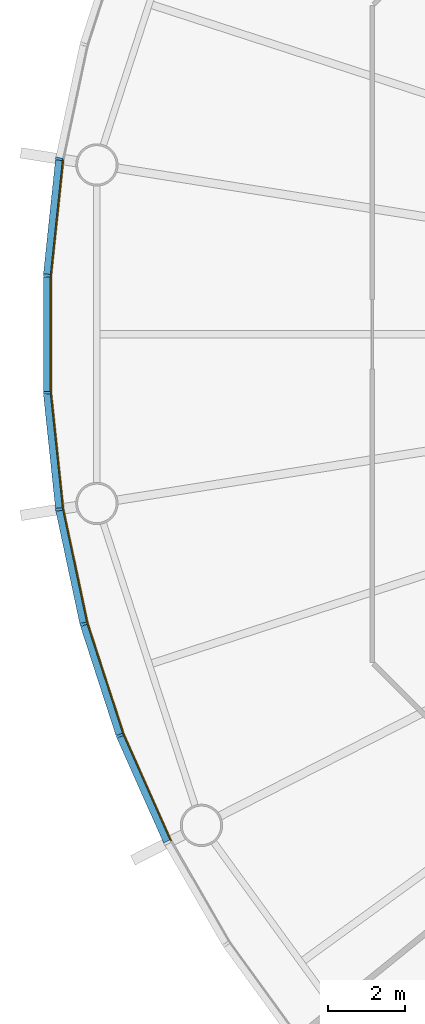
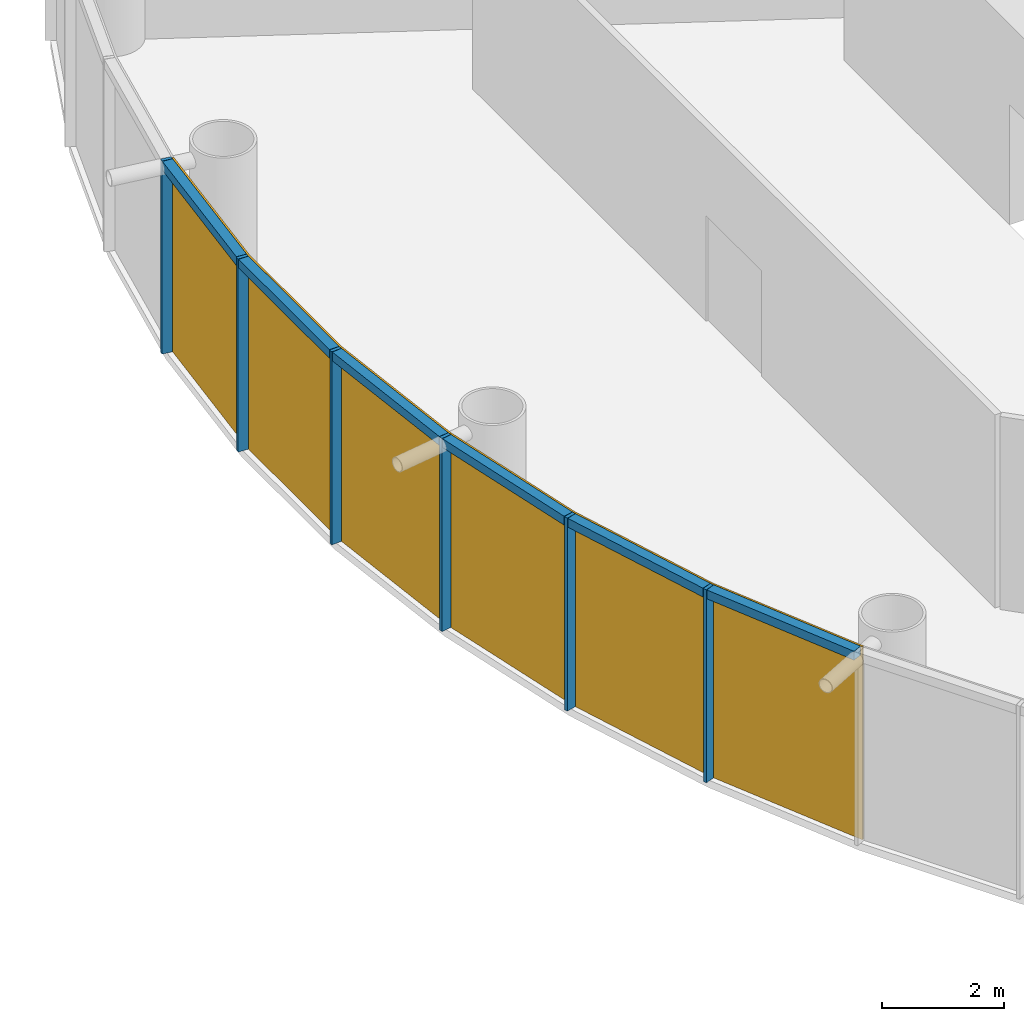
# One storey, part 7 of 12: 12 members, 2 curtain walls.
"""IFC4 building model written with IfcOpenShell, lengths in metres."""

from ifc_helpers import new_model, si_unit, direction, frame, origin, origin_2d, place, context, subcontext, project, spatial, polyline, rectangle, outline, extrude, material, layer, layer_set, material_profile, profile_set, type_object, element, aggregate, save


model = new_model("IFC4")

# Units and contexts
model_context = context("Model", 3, precision=1e-05, world=origin(), true_north=direction((0.0, 1.0)))
body_context = subcontext(model_context, "Body", "Model", "MODEL_VIEW")
ifc_project = project(units=[si_unit("LENGTHUNIT", "METRE"), si_unit("AREAUNIT", "SQUARE_METRE"), si_unit("VOLUMEUNIT", "CUBIC_METRE"), si_unit("PLANEANGLEUNIT", "RADIAN"), si_unit("MASSUNIT", "GRAM", prefix="KILO")], contexts=[model_context])

# Member
ifc_material_1 = material(Name="Anodised aluminium", Category="aluminium")
ifc_material_profile_1 = material_profile(ifc_material_1, rectangle(XDim=0.06494140625, YDim=0.18505859375, at=origin_2d()), Name="Mullion 65 x 185 mm anodised aluminium")
ifc_profile_set_1 = profile_set([ifc_material_profile_1], Name="Anodised aluminium")
member_type_1 = type_object("IfcMemberType", Name="Mullion 65 x 185 mm anodised aluminium", PredefinedType="MULLION", material=ifc_profile_set_1)
site_placement = place(None, origin())
building_placement = place(site_placement, origin())
storey_placement = place(building_placement, frame((0.0, 0.0, 196.0)))
member_1_placement = place(storey_placement, frame((61.265625, 84.551025390625, 0.0), z_axis=(0.0, 0.0, 1.0), x_axis=(-0.15643446504, -0.987688340595, 0.0)))
member_1 = element("IfcMember", 1, at=member_1_placement, type_object=member_type_1, Name="MULLION L45-27", PredefinedType="MULLION", context=body_context, shape_type="SweptSolid", body=[
    extrude(rectangle(XDim=0.06494140625, YDim=0.18505859375, at=origin_2d()), origin(), (0.0, 0.0, 1.0), 3.85009765625),
])

member_2_placement = place(storey_placement, frame((60.947265625, 81.522705078125, 0.0), z_axis=(0.0, 0.0, 1.0), x_axis=(-0.052335956243, -0.998629534755, 0.0)))
member_2 = element("IfcMember", 2, at=member_2_placement, type_object=member_type_1, Name="MULLION L45-28", PredefinedType="MULLION", context=body_context, shape_type="SweptSolid", body=[
    extrude(rectangle(XDim=0.06494140625, YDim=0.18505859375, at=origin_2d()), origin(), (0.0, 0.0, 1.0), 3.85009765625),
])

member_3_placement = place(storey_placement, frame((60.947265625, 78.477294921875, 0.0), z_axis=(0.0, 0.0, 1.0), x_axis=(0.052335956243, -0.998629534755, 0.0)))
member_3 = element("IfcMember", 3, at=member_3_placement, type_object=member_type_1, Name="MULLION L45-29", PredefinedType="MULLION", context=body_context, shape_type="SweptSolid", body=[
    extrude(rectangle(XDim=0.06494140625, YDim=0.18505859375, at=origin_2d()), origin(), (0.0, 0.0, 1.0), 3.85009765625),
])

member_4_placement = place(storey_placement, frame((61.265625, 75.448974609375, 0.0), z_axis=(0.0, 0.0, 1.0), x_axis=(0.15643446504, -0.987688340595, 0.0)))
member_4 = element("IfcMember", 4, at=member_4_placement, type_object=member_type_1, Name="MULLION L45-30", PredefinedType="MULLION", context=body_context, shape_type="SweptSolid", body=[
    extrude(rectangle(XDim=0.06494140625, YDim=0.18505859375, at=origin_2d()), origin(), (0.0, 0.0, 1.0), 3.85009765625),
])

member_5_placement = place(storey_placement, frame((61.898681640625, 72.47021484375, 0.0), z_axis=(0.0, 0.0, 1.0), x_axis=(0.258819045103, -0.965925826289, 0.0)))
member_5 = element("IfcMember", 5, at=member_5_placement, type_object=member_type_1, Name="MULLION L45-31", PredefinedType="MULLION", context=body_context, shape_type="SweptSolid", body=[
    extrude(rectangle(XDim=0.06494140625, YDim=0.18505859375, at=origin_2d()), origin(), (0.0, 0.0, 1.0), 3.85009765625),
])

member_6_placement = place(storey_placement, frame((62.83984375, 69.57421875, 0.0), z_axis=(0.0, 0.0, 1.0), x_axis=(0.358367949545, -0.933580426497, 0.0)))
member_6 = element("IfcMember", 6, at=member_6_placement, type_object=member_type_1, Name="MULLION L45-32", PredefinedType="MULLION", context=body_context, shape_type="SweptSolid", body=[
    extrude(rectangle(XDim=0.06494140625, YDim=0.18505859375, at=origin_2d()), origin(), (0.0, 0.0, 1.0), 3.85009765625),
])

ifc_material_2 = material(Name="Anodised aluminium", Category="aluminium")
ifc_material_profile_2 = material_profile(ifc_material_2, rectangle(XDim=0.18505859375, YDim=0.175048828125, at=origin_2d()), Name="Transom 175 x 185 mm anodised aluminium")
ifc_profile_set_2 = profile_set([ifc_material_profile_2], Name="Anodised aluminium")
member_type_2 = type_object("IfcMemberType", Name="Transom 175 x 185 mm anodised aluminium", PredefinedType="USERDEFINED", material=ifc_profile_set_2)
member_7_placement = place(storey_placement, frame((61.26171875, 84.513916015625, 3.762451171875), z_axis=(-0.104547872381, -0.994519855197, 0.0), x_axis=(0.994519855197, -0.104547872381, 0.0)))
member_7 = element("IfcMember", 7, at=member_7_placement, type_object=member_type_2, Name="TRANSOM L45-27", ObjectType="TRANSOM", PredefinedType="USERDEFINED", context=body_context, shape_type="SweptSolid", body=[
    extrude(rectangle(XDim=0.18505859375, YDim=0.175048828125, at=origin_2d()), origin(), (0.0, 0.0, 1.0), 2.970458984375),
])

member_8_placement = place(storey_placement, frame((60.947265625, 81.4853515625, 3.762451171875), z_axis=(0.0, -1.0, 0.0), x_axis=(1.0, 0.0, 0.0)))
member_8 = element("IfcMember", 8, at=member_8_placement, type_object=member_type_2, Name="TRANSOM L45-28", ObjectType="TRANSOM", PredefinedType="USERDEFINED", context=body_context, shape_type="SweptSolid", body=[
    extrude(rectangle(XDim=0.18505859375, YDim=0.175048828125, at=origin_2d()), origin(), (0.0, 0.0, 1.0), 2.970703125),
])

member_9_placement = place(storey_placement, frame((60.951171875, 78.440185546875, 3.762451171875), z_axis=(0.104547872381, -0.994519855197, 0.0), x_axis=(0.994519855197, 0.104547872381, 0.0)))
member_9 = element("IfcMember", 9, at=member_9_placement, type_object=member_type_2, Name="TRANSOM L45-29", ObjectType="TRANSOM", PredefinedType="USERDEFINED", context=body_context, shape_type="SweptSolid", body=[
    extrude(rectangle(XDim=0.18505859375, YDim=0.175048828125, at=origin_2d()), origin(), (0.0, 0.0, 1.0), 2.970458984375),
])

member_10_placement = place(storey_placement, frame((61.2734375, 75.412353515625, 3.762451171875), z_axis=(0.207861704825, -0.97815822425, 0.0), x_axis=(0.97815822425, 0.207861704825, 0.0)))
member_10 = element("IfcMember", 10, at=member_10_placement, type_object=member_type_2, Name="TRANSOM L45-30", ObjectType="TRANSOM", PredefinedType="USERDEFINED", context=body_context, shape_type="SweptSolid", body=[
    extrude(rectangle(XDim=0.18505859375, YDim=0.175048828125, at=origin_2d()), origin(), (0.0, 0.0, 1.0), 2.970458984375),
])

member_11_placement = place(storey_placement, frame((61.91015625, 72.434814453125, 3.762451171875), z_axis=(0.30901917063, -0.951055809184, 0.0), x_axis=(0.951055809184, 0.30901917063, 0.0)))
member_11 = element("IfcMember", 11, at=member_11_placement, type_object=member_type_2, Name="TRANSOM L45-31", ObjectType="TRANSOM", PredefinedType="USERDEFINED", context=body_context, shape_type="SweptSolid", body=[
    extrude(rectangle(XDim=0.18505859375, YDim=0.175048828125, at=origin_2d()), origin(), (0.0, 0.0, 1.0), 2.970703125),
])

member_12_placement = place(storey_placement, frame((62.85498046875, 69.5400390625, 3.762451171875), z_axis=(0.406687471156, -0.913567348806, 0.0), x_axis=(0.913567348806, 0.406687471156, 0.0)))
member_12 = element("IfcMember", 12, at=member_12_placement, type_object=member_type_2, Name="TRANSOM L45-32", ObjectType="TRANSOM", PredefinedType="USERDEFINED", context=body_context, shape_type="SweptSolid", body=[
    extrude(rectangle(XDim=0.18505859375, YDim=0.175048828125, at=origin_2d()), origin(), (0.0, 0.0, 1.0), 2.970458984375),
])

# Site, building, storey
site = spatial("IfcSite", under=ifc_project, at=site_placement, CompositionType="ELEMENT")
building = spatial("IfcBuilding", under=site, at=building_placement, Name="Entoto Ring Tower", CompositionType="ELEMENT")
storey = spatial("IfcBuildingStorey", under=building, at=storey_placement, Name="L45", CompositionType="ELEMENT", Elevation=196.0)

# Curtain wall
ifc_material_3 = material(Name="Clear low-iron glass", Category="glass")
ifc_layer = layer(ifc_material_3, 0.033935546875)
ifc_layer_set = layer_set([ifc_layer], Name="Clear low-iron glass")
curtain_wall_type = type_object("IfcCurtainWallType", Name="Curtain wall system CW3 glazing 34 mm", PredefinedType="NOTDEFINED", material=ifc_layer_set)
curtain_wall_1_placement = place(storey_placement, origin())
curtain_wall_1 = element("IfcCurtainWall", 13, at=curtain_wall_1_placement, inside=storey, type_object=curtain_wall_type, Name="CW3 L45-10", PredefinedType="NOTDEFINED", context=body_context, shape_type="SweptSolid", body=[
    extrude(outline(polyline([(61.35693359375, 84.53662109375), (61.039794921875, 81.517822265625), (61.039794921875, 78.482177734375), (61.35693359375, 75.46337890625), (61.390625, 75.46875), (61.07373046875, 78.484130859375), (61.07373046875, 81.515869140625), (61.390625, 84.53125), (61.35693359375, 84.53662109375)])), origin(), (0.0, 0.0, 1.0), 3.85009765625),
])

aggregate(curtain_wall_1, [member_1, member_2, member_3, member_7, member_8, member_9])

curtain_wall_2_placement = place(storey_placement, origin())
curtain_wall_2 = element("IfcCurtainWall", 14, at=curtain_wall_2_placement, inside=storey, type_object=curtain_wall_type, Name="CW3 L45-11", PredefinedType="NOTDEFINED", context=body_context, shape_type="SweptSolid", body=[
    extrude(outline(polyline([(61.35693359375, 75.46337890625), (61.988037109375, 72.494140625), (62.92626953125, 69.607421875), (64.160888671875, 66.834228515625), (64.191162109375, 66.849853515625), (62.9580078125, 69.61962890625), (62.02099609375, 72.503173828125), (61.390625, 75.46875), (61.35693359375, 75.46337890625)])), origin(), (0.0, 0.0, 1.0), 3.85009765625),
])

aggregate(curtain_wall_2, [member_4, member_5, member_6, member_10, member_11, member_12])

save(model, "model.ifc")
